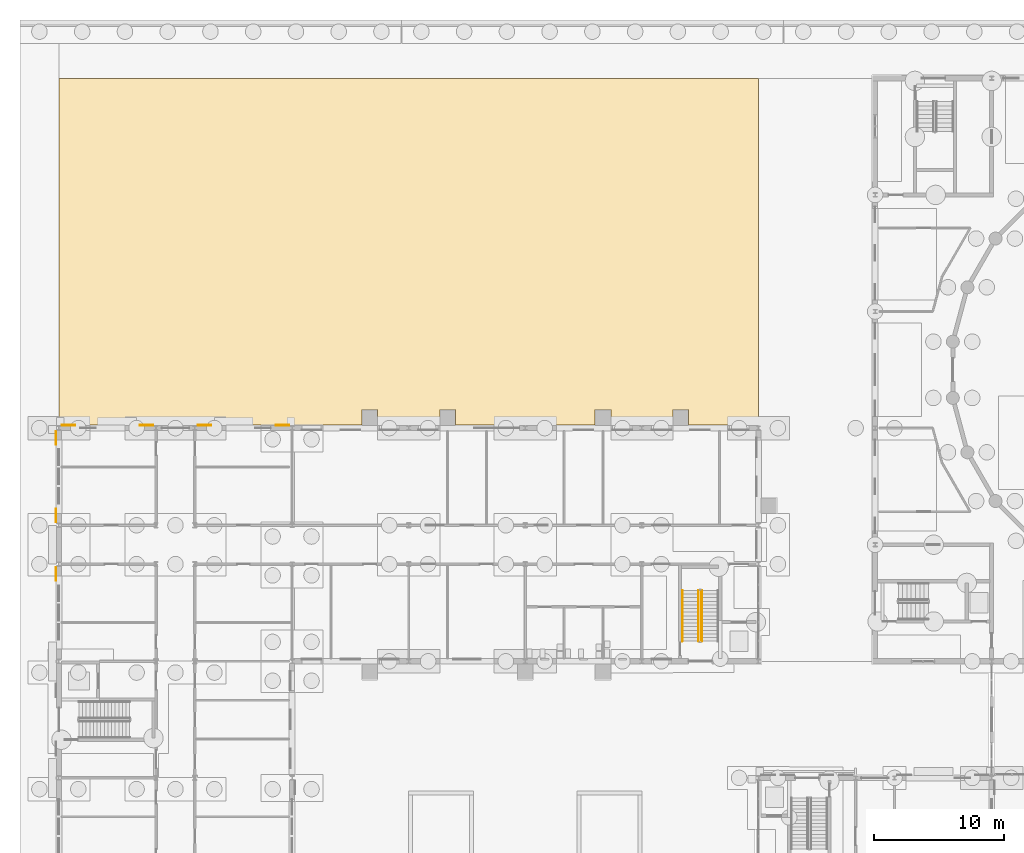
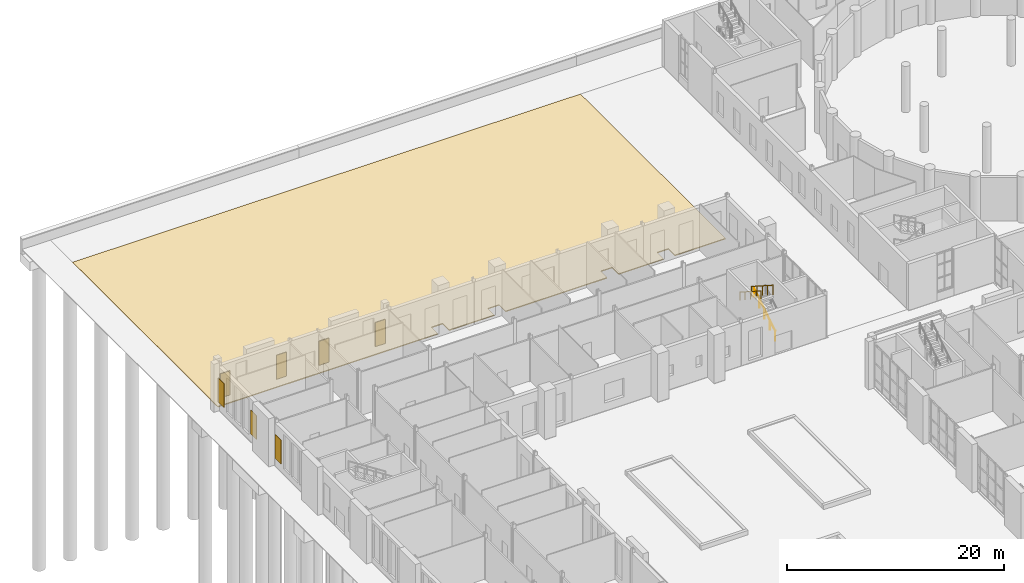
# One storey, part 141 of 168: 8 coverings, 3 railings.
"""IFC4 building model written with IfcOpenShell, lengths in metres."""

from ifc_helpers import new_model, si_unit, direction, frame, origin, origin_2d, place, context, subcontext, project, spatial, polyline, circle, outline, extrude, material, layer, layer_set, type_object, element, save


model = new_model("IFC4")

# Units and contexts
model_context = context("Model", 3, precision=1e-05, world=origin(), true_north=direction((0.0, 1.0)))
body_context = subcontext(model_context, "Body", "Model", "MODEL_VIEW")
ifc_project = project(units=[si_unit("LENGTHUNIT", "METRE"), si_unit("AREAUNIT", "SQUARE_METRE"), si_unit("VOLUMEUNIT", "CUBIC_METRE"), si_unit("PLANEANGLEUNIT", "RADIAN"), si_unit("MASSUNIT", "GRAM", prefix="KILO")], contexts=[model_context])

# Site, building, storey
site_placement = place(None, origin())
site = spatial("IfcSite", under=ifc_project, at=site_placement, CompositionType="ELEMENT")
building_placement = place(site_placement, origin())
building = spatial("IfcBuilding", under=site, at=building_placement, Name="Golden Quay Civic Hall", CompositionType="ELEMENT")
storey_placement = place(building_placement, origin())
storey = spatial("IfcBuildingStorey", under=building, at=storey_placement, Name="L00", CompositionType="ELEMENT", Elevation=0.0)

# Covering
ifc_material_1 = material(Name="Concrete block paving", Category="concrete")
ifc_layer_1 = layer(ifc_material_1, 0.10009765625)
ifc_layer_set_1 = layer_set([ifc_layer_1], Name="Concrete block paving 100")
covering_type_1 = type_object("IfcCoveringType", Name="Concrete block paving 100", PredefinedType="FLOORING", material=ifc_layer_set_1)
covering_1_placement = place(storey_placement, frame((0.0, 0.0, -0.10009765625)))
element("IfcCovering", 1, at=covering_1_placement, inside=storey, type_object=covering_type_1, Name="Rear service yard paving", PredefinedType="FLOORING", context=body_context, shape_type="SweptSolid", body=[
    extrude(outline(polyline([(53.989013671875, 81.25), (48.60009765625, 81.25), (48.60009765625, 82.449951171875), (47.39990234375, 82.449951171875), (47.39990234375, 81.25), (45.010986328125, 81.25), (44.989013671875, 81.25), (42.60009765625, 81.25), (42.60009765625, 82.449951171875), (41.39990234375, 82.449951171875), (41.39990234375, 81.25), (36.010986328125, 81.25), (35.989013671875, 81.25), (30.60009765625, 81.25), (30.60009765625, 82.449951171875), (29.39990234375, 82.449951171875), (29.39990234375, 81.25), (27.010986328125, 81.25), (26.989013671875, 81.25), (24.60009765625, 81.25), (24.60009765625, 82.449951171875), (23.39990234375, 82.449951171875), (23.39990234375, 81.25), (18.25, 81.25), (18.010986328125, 81.25), (17.989013671875, 81.25), (17.75, 81.25), (10.510986328125, 81.25), (10.489013671875, 81.25), (7.510986328125, 81.25), (7.489013671875, 81.25), (0.010986328125, 81.25), (0.0, 81.25), (0.0, 108.0), (54.0, 108.0), (54.0, 81.25), (53.989013671875, 81.25)])), origin(), (0.0, 0.0, 1.0), 0.10009765625),
])

# Railings
ifc_material_2 = material(Name="Steel S355", Category="steel")
railing_type_1 = type_object("IfcRailingType", Name="Steel guard 1100", PredefinedType="GUARDRAIL", material=ifc_material_2)
railing_1_placement = place(storey_placement, frame((49.625, 64.550048828125, 0.179931640625)))
element("IfcRailing", 2, at=railing_1_placement, inside=storey, type_object=railing_type_1, Name="L00 NW-E stair guard 1", PredefinedType="GUARDRAIL", context=body_context, shape_type="SweptSolid", body=[
    extrude(circle(Radius=0.02392578125, at=origin_2d()), frame((0.0, 0.0, 1.076171875), z_axis=(0.0, 0.841171666519, 0.540768182723), x_axis=(-1.0, 0.0, 0.0)), (0.0, 0.0, 1.0), 4.66015625),
    extrude(circle(Radius=0.02099609375, at=origin_2d()), origin(), (0.0, 0.0, 1.0), 1.052001953125),
    extrude(circle(Radius=0.02099609375, at=origin_2d()), frame((0.0, 0.97998046875, 0.6298828125)), (0.0, 0.0, 1.0), 1.052001953125),
    extrude(circle(Radius=0.02099609375, at=origin_2d()), frame((0.0, 1.9599609375, 1.260009765625)), (0.0, 0.0, 1.0), 1.052001953125),
    extrude(circle(Radius=0.02099609375, at=origin_2d()), frame((0.0, 2.93994140625, 1.89013671875)), (0.0, 0.0, 1.0), 1.052001953125),
    extrude(circle(Radius=0.02099609375, at=origin_2d()), frame((0.0, 3.919921875, 2.52001953125)), (0.0, 0.0, 1.0), 1.052001953125),
])
railing_2_placement = place(storey_placement, frame((49.375, 68.469970703125, 2.8798828125)))
element("IfcRailing", 3, at=railing_2_placement, inside=storey, type_object=railing_type_1, Name="L00 NW-E stair guard 3", PredefinedType="GUARDRAIL", context=body_context, shape_type="SweptSolid", body=[
    extrude(circle(Radius=0.02392578125, at=origin_2d()), frame((0.0, 0.0, 1.076171875), z_axis=(0.0, -0.841171666519, 0.540768182723), x_axis=(1.0, 0.0, 0.0)), (0.0, 0.0, 1.0), 4.66015625),
    extrude(circle(Radius=0.02099609375, at=origin_2d()), origin(), (0.0, 0.0, 1.0), 1.052001953125),
    extrude(circle(Radius=0.02099609375, at=origin_2d()), frame((0.0, -0.97998046875, 0.6298828125)), (0.0, 0.0, 1.0), 1.052001953125),
    extrude(circle(Radius=0.02099609375, at=origin_2d()), frame((0.0, -1.9599609375, 1.260009765625)), (0.0, 0.0, 1.0), 1.052001953125),
    extrude(circle(Radius=0.02099609375, at=origin_2d()), frame((0.0, -2.93994140625, 1.89013671875)), (0.0, 0.0, 1.0), 1.052001953125),
    extrude(circle(Radius=0.02099609375, at=origin_2d()), frame((0.0, -3.919921875, 2.52001953125)), (0.0, 0.0, 1.0), 1.052001953125),
])
ifc_material_3 = material(Name="Steel S355", Category="steel")
railing_type_2 = type_object("IfcRailingType", Name="Steel handrail 900", PredefinedType="HANDRAIL", material=ifc_material_3)
railing_3_placement = place(storey_placement, frame((48.125, 68.469970703125, 2.8798828125)))
element("IfcRailing", 4, at=railing_3_placement, inside=storey, type_object=railing_type_2, Name="L00 NW-E stair handrail 2", PredefinedType="HANDRAIL", context=body_context, shape_type="SweptSolid", body=[
    extrude(circle(Radius=0.02392578125, at=origin_2d()), frame((0.0, 0.0, 0.8759765625), z_axis=(0.0, -0.841171666519, 0.540768182723), x_axis=(1.0, 0.0, 0.0)), (0.0, 0.0, 1.0), 4.66015625),
    extrude(circle(Radius=0.02099609375, at=origin_2d()), origin(), (0.0, 0.0, 1.0), 0.851806640625),
    extrude(circle(Radius=0.02099609375, at=origin_2d()), frame((0.0, -0.97998046875, 0.6298828125)), (0.0, 0.0, 1.0), 0.851806640625),
    extrude(circle(Radius=0.02099609375, at=origin_2d()), frame((0.0, -1.9599609375, 1.260009765625)), (0.0, 0.0, 1.0), 0.851806640625),
    extrude(circle(Radius=0.02099609375, at=origin_2d()), frame((0.0, -2.93994140625, 1.89013671875)), (0.0, 0.0, 1.0), 0.851806640625),
    extrude(circle(Radius=0.02099609375, at=origin_2d()), frame((0.0, -3.919921875, 2.52001953125)), (0.0, 0.0, 1.0), 0.851806640625),
])

# Coverings
ifc_material_4 = material(Name="Terracotta cladding, golden glaze", Category="masonry")
ifc_layer_2 = layer(ifc_material_4, 0.050048828125)
ifc_layer_set_2 = layer_set([ifc_layer_2], Name="Terracotta solid panel 1050 x 2700 x 50")
covering_type_2 = type_object("IfcCoveringType", Name="Terracotta solid panel 1050 x 2700 x 50", PredefinedType="CLADDING", material=ifc_layer_set_2)
covering_2_placement = place(storey_placement, frame((0.0, 0.0, 0.89990234375)))
element("IfcCovering", 5, at=covering_2_placement, inside=storey, type_object=covering_type_2, Name="Terracotta solid panel 1050 x 2700 x 50 L00 6", PredefinedType="CLADDING", context=body_context, shape_type="SweptSolid", body=[
    extrude(outline(polyline([(-0.199951171875, 69.22509765625), (-0.199951171875, 70.27490234375), (-0.25, 70.27490234375), (-0.25, 69.22509765625), (-0.199951171875, 69.22509765625)])), origin(), (0.0, 0.0, 1.0), 2.7001953125),
])
covering_3_placement = place(storey_placement, frame((0.0, 0.0, 0.89990234375)))
element("IfcCovering", 6, at=covering_3_placement, inside=storey, type_object=covering_type_2, Name="Terracotta solid panel 1050 x 2700 x 50 L00 7", PredefinedType="CLADDING", context=body_context, shape_type="SweptSolid", body=[
    extrude(outline(polyline([(-0.199951171875, 73.72509765625), (-0.199951171875, 74.77490234375), (-0.25, 74.77490234375), (-0.25, 73.72509765625), (-0.199951171875, 73.72509765625)])), origin(), (0.0, 0.0, 1.0), 2.7001953125),
])
covering_4_placement = place(storey_placement, frame((0.0, 0.0, 0.89990234375)))
element("IfcCovering", 7, at=covering_4_placement, inside=storey, type_object=covering_type_2, Name="Terracotta solid panel 1050 x 2700 x 50 L00 8", PredefinedType="CLADDING", context=body_context, shape_type="SweptSolid", body=[
    extrude(outline(polyline([(-0.199951171875, 79.72509765625), (-0.199951171875, 80.77490234375), (-0.25, 80.77490234375), (-0.25, 79.72509765625), (-0.199951171875, 79.72509765625)])), origin(), (0.0, 0.0, 1.0), 2.7001953125),
])
covering_5_placement = place(storey_placement, frame((0.0, 0.0, 0.89990234375)))
element("IfcCovering", 8, at=covering_5_placement, inside=storey, type_object=covering_type_2, Name="Terracotta solid panel 1050 x 2700 x 50 L00 9", PredefinedType="CLADDING", context=body_context, shape_type="SweptSolid", body=[
    extrude(outline(polyline([(0.22509765625, 81.199951171875), (1.27490234375, 81.199951171875), (1.27490234375, 81.25), (0.22509765625, 81.25), (0.22509765625, 81.199951171875)])), origin(), (0.0, 0.0, 1.0), 2.7001953125),
])
covering_6_placement = place(storey_placement, frame((0.0, 0.0, 0.89990234375)))
element("IfcCovering", 9, at=covering_6_placement, inside=storey, type_object=covering_type_2, Name="Terracotta solid panel 1050 x 2700 x 50 L00 10", PredefinedType="CLADDING", context=body_context, shape_type="SweptSolid", body=[
    extrude(outline(polyline([(6.22509765625, 81.199951171875), (7.27490234375, 81.199951171875), (7.27490234375, 81.25), (6.22509765625, 81.25), (6.22509765625, 81.199951171875)])), origin(), (0.0, 0.0, 1.0), 2.7001953125),
])
covering_7_placement = place(storey_placement, frame((0.0, 0.0, 0.89990234375)))
element("IfcCovering", 10, at=covering_7_placement, inside=storey, type_object=covering_type_2, Name="Terracotta solid panel 1050 x 2700 x 50 L00 11", PredefinedType="CLADDING", context=body_context, shape_type="SweptSolid", body=[
    extrude(outline(polyline([(10.72509765625, 81.199951171875), (11.77490234375, 81.199951171875), (11.77490234375, 81.25), (10.72509765625, 81.25), (10.72509765625, 81.199951171875)])), origin(), (0.0, 0.0, 1.0), 2.7001953125),
])
covering_8_placement = place(storey_placement, frame((0.0, 0.0, 0.89990234375)))
element("IfcCovering", 11, at=covering_8_placement, inside=storey, type_object=covering_type_2, Name="Terracotta solid panel 1050 x 2700 x 50 L00 12", PredefinedType="CLADDING", context=body_context, shape_type="SweptSolid", body=[
    extrude(outline(polyline([(16.72509765625, 81.199951171875), (17.77490234375, 81.199951171875), (17.77490234375, 81.25), (16.72509765625, 81.25), (16.72509765625, 81.199951171875)])), origin(), (0.0, 0.0, 1.0), 2.7001953125),
])

save(model, "model.ifc")
